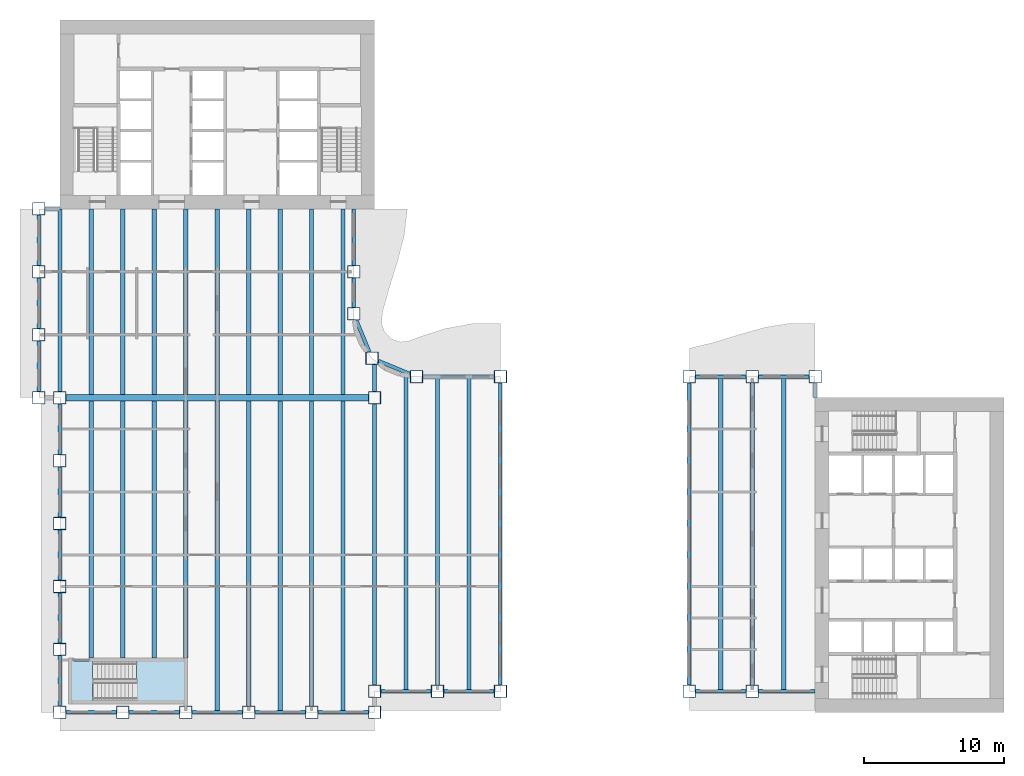
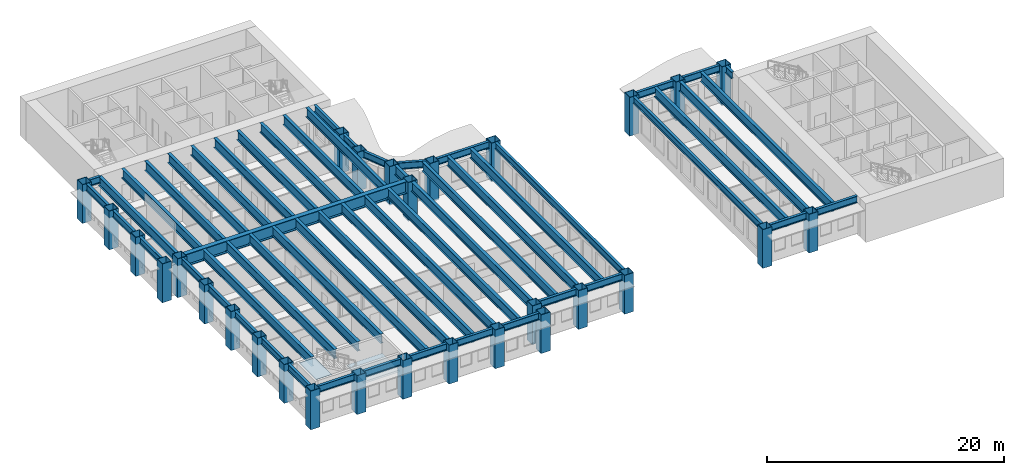
# One storey, part 1 of 13: 56 beams, 29 columns, 2 slabs, 1 element without a shape of its own.
"""IFC4 building model written with IfcOpenShell, lengths in metres."""

from ifc_helpers import new_model, si_unit, direction, frame, origin, origin_2d, place, context, subcontext, project, spatial, polyline, hollow_rectangle, i_section, outline, extrude, material, layer, layer_set, material_profile, profile_set, type_object, element, aggregate, save


model = new_model("IFC4")

# Units and contexts
model_context = context("Model", 3, precision=1e-05, world=origin(), true_north=direction((0.0, 1.0)))
body_context = subcontext(model_context, "Body", "Model", "MODEL_VIEW")
ifc_project = project(units=[si_unit("LENGTHUNIT", "METRE"), si_unit("AREAUNIT", "SQUARE_METRE"), si_unit("VOLUMEUNIT", "CUBIC_METRE"), si_unit("PLANEANGLEUNIT", "RADIAN"), si_unit("MASSUNIT", "GRAM", prefix="KILO")], contexts=[model_context])

# Site, building, storey
site_placement = place(None, origin())
site = spatial("IfcSite", under=ifc_project, at=site_placement, CompositionType="ELEMENT")
building_placement = place(site_placement, origin())
building = spatial("IfcBuilding", under=site, at=building_placement, Name="Sennacour Bend Tower", CompositionType="ELEMENT")
storey_placement = place(building_placement, frame((0.0, 0.0, 139.0)))
storey = spatial("IfcBuildingStorey", under=building, at=storey_placement, Name="L31", CompositionType="ELEMENT", Elevation=139.0)

# Columns
ifc_material_1 = material(Name="Steel ASTM A572 Grade 50", Category="steel")
ifc_material_profile_1 = material_profile(ifc_material_1, hollow_rectangle(XDim=0.89990234375, YDim=0.89990234375, WallThickness=0.044921875, at=origin_2d()), Name="Steel ASTM A572 Grade 50", Category="steel")
ifc_profile_set_1 = profile_set([ifc_material_profile_1], Name="Steel ASTM A572 Grade 50")
column_type = type_object("IfcColumnType", Name="Box column 900", PredefinedType="COLUMN", material=ifc_profile_set_1)
for number, where, z_axis, x_axis, name in (
    (1, (-1.5, 22.5, -0.14990234375), (0.0, 0.0, 1.0), (1.0, 0.0, 0.0), "Perimeter column C3 L31-001"),
    (2, (-1.5, 27.0, -0.14990234375), (0.0, 0.0, 1.0), (1.0, 0.0, 0.0), "Perimeter column C3 L31-002"),
    (3, (-1.5, 31.5, -0.14990234375), (0.0, 0.0, 1.0), (1.0, 0.0, 0.0), "Perimeter column C3 L31-003"),
    (4, (-1.5, 36.0, -0.14990234375), (0.0, 0.0, 1.0), (1.0, 0.0, 0.0), "Perimeter column C3 L31-004"),
    (5, (0.0, 0.0, -0.14990234375), (0.0, 0.0, 1.0), (1.0, 0.0, 0.0), "Perimeter column C3 L31-005"),
    (6, (0.0, 4.5, -0.14990234375), (0.0, 0.0, 1.0), (1.0, 0.0, 0.0), "Perimeter column C3 L31-006"),
    (7, (0.0, 9.0, -0.14990234375), (0.0, 0.0, 1.0), (1.0, 0.0, 0.0), "Perimeter column C3 L31-007"),
    (8, (0.0, 13.5, -0.14990234375), (0.0, 0.0, 1.0), (1.0, 0.0, 0.0), "Perimeter column C3 L31-008"),
    (9, (0.0, 18.0, -0.14990234375), (0.0, 0.0, 1.0), (1.0, 0.0, 0.0), "Perimeter column C3 L31-009"),
    (10, (0.0, 22.5, -0.14990234375), (0.0, 0.0, 1.0), (1.0, 0.0, 0.0), "Perimeter column C3 L31-010"),
    (11, (4.5, 0.0, -0.14990234375), (0.0, 0.0, 1.0), (1.0, 0.0, 0.0), "Perimeter column C3 L31-011"),
    (12, (9.0, 0.0, -0.14990234375), (0.0, 0.0, 1.0), (1.0, 0.0, 0.0), "Perimeter column C3 L31-012"),
    (13, (13.5, 0.0, -0.14990234375), (0.0, 0.0, 1.0), (1.0, 0.0, 0.0), "Perimeter column C3 L31-013"),
    (14, (18.0, 0.0, -0.14990234375), (0.0, 0.0, 1.0), (1.0, 0.0, 0.0), "Perimeter column C3 L31-014"),
    (15, (21.0, 28.5, -0.14990234375), (0.0, 0.0, 1.0), (1.0, 0.0, 0.0), "Perimeter column C3 L31-015"),
    (16, (21.0, 31.5, -0.14990234375), (0.0, 0.0, 1.0), (1.0, 0.0, 0.0), "Perimeter column C3 L31-016"),
    (17, (22.318115234375, 25.318115234375, -0.14990234375), (0.0, 0.0, 1.0), (1.0, 0.0, 0.0), "Perimeter column C3 L31-017"),
    (18, (22.5, 0.0, -0.14990234375), (0.0, 0.0, 1.0), (1.0, 0.0, 0.0), "Perimeter column C3 L31-018"),
    (19, (22.5, 1.5, -0.14990234375), (0.0, 0.0, 1.0), (1.0, 0.0, 0.0), "Perimeter column C3 L31-019"),
    (20, (22.5, 22.5, -0.14990234375), (0.0, 0.0, 1.0), (1.0, 0.0, 0.0), "Knuckle column C3 L31-020"),
    (21, (25.5, 24.0, -0.14990234375), (0.0, 0.0, 1.0), (1.0, 0.0, 0.0), "Perimeter column C3 L31-021"),
    (22, (27.0, 1.5, -0.14990234375), (0.0, 0.0, 1.0), (1.0, 0.0, 0.0), "Perimeter column C3 L31-022"),
    (23, (31.5, 1.5, -0.14990234375), (0.0, 0.0, 1.0), (1.0, 0.0, 0.0), "Perimeter column C3 L31-023"),
    (24, (31.5, 24.0, -0.14990234375), (0.0, 0.0, 1.0), (1.0, 0.0, 0.0), "Perimeter column C3 L31-024"),
    (25, (45.0, 1.5, -0.14990234375), (0.0, 0.0, 1.0), (1.0, 0.0, 0.0), "Perimeter column C3 L31-025"),
    (26, (45.0, 24.0, -0.14990234375), (0.0, 0.0, 1.0), (1.0, 0.0, 0.0), "Perimeter column C3 L31-026"),
    (27, (49.5, 1.5, -0.14990234375), (0.0, 0.0, 1.0), (1.0, 0.0, 0.0), "Perimeter column C3 L31-027"),
    (28, (49.5, 24.0, -0.14990234375), (0.0, 0.0, 1.0), (1.0, 0.0, 0.0), "Perimeter column C3 L31-028"),
    (29, (54.0, 24.0, -0.14990234375), (0.0, 0.0, 1.0), (1.0, 0.0, 0.0), "Perimeter column C3 L31-029"),
):
    element("IfcColumn", number, at=place(storey_placement, frame(where, z_axis=z_axis, x_axis=x_axis)), inside=storey, type_object=column_type, Name=name, PredefinedType="COLUMN", context=body_context, shape_type="SweptSolid", body=[
        extrude(hollow_rectangle(XDim=0.89990234375, YDim=0.89990234375, WallThickness=0.044921875, at=origin_2d()), origin(), (0.0, 0.0, 1.0), 4.0),
    ])

# Beams
ifc_material_2 = material(Name="Steel ASTM A992 Grade 50", Category="steel")
ifc_material_profile_2 = material_profile(ifc_material_2, i_section(OverallWidth=0.300048828125, OverallDepth=0.97998046875, WebThickness=0.0166015625, FlangeThickness=0.026123046875, FilletRadius=0.02978515625, at=origin_2d()), Name="Steel ASTM A992 Grade 50", Category="steel")
ifc_profile_set_2 = profile_set([ifc_material_profile_2], Name="Steel ASTM A992 Grade 50")
beam_type_1 = type_object("IfcBeamType", Name="Floor beam W1000X249", PredefinedType="BEAM", material=ifc_profile_set_2)
beam_1_placement = place(storey_placement, frame((0.0, 22.949951171875, 3.360107421875), z_axis=(0.0, 1.0, 0.0), x_axis=(-1.0, 0.0, 0.0)))
element("IfcBeam", 30, at=beam_1_placement, inside=storey, type_object=beam_type_1, Name="Floor beam FBM2 L32-001", PredefinedType="BEAM", context=body_context, shape_type="SweptSolid", body=[
    extrude(i_section(OverallWidth=0.300048828125, OverallDepth=0.97998046875, WebThickness=0.0166015625, FlangeThickness=0.026123046875, FilletRadius=0.02978515625, at=origin_2d()), origin(), (0.0, 0.0, 1.0), 13.050048828125),
])
beam_2_placement = place(storey_placement, frame((2.25, 3.875, 3.360107421875), z_axis=(0.0, 1.0, 0.0), x_axis=(-1.0, 0.0, 0.0)))
element("IfcBeam", 31, at=beam_2_placement, inside=storey, type_object=beam_type_1, Name="Floor beam FBM2 L32-002", PredefinedType="BEAM", context=body_context, shape_type="SweptSolid", body=[
    extrude(i_section(OverallWidth=0.300048828125, OverallDepth=0.97998046875, WebThickness=0.0166015625, FlangeThickness=0.026123046875, FilletRadius=0.02978515625, at=origin_2d()), origin(), (0.0, 0.0, 1.0), 18.39990234375),
])
beam_3_placement = place(storey_placement, frame((2.25, 22.72509765625, 3.360107421875), z_axis=(0.0, 1.0, 0.0), x_axis=(-1.0, 0.0, 0.0)))
element("IfcBeam", 32, at=beam_3_placement, inside=storey, type_object=beam_type_1, Name="Floor beam FBM2 L32-003", PredefinedType="BEAM", context=body_context, shape_type="SweptSolid", body=[
    extrude(i_section(OverallWidth=0.300048828125, OverallDepth=0.97998046875, WebThickness=0.0166015625, FlangeThickness=0.026123046875, FilletRadius=0.02978515625, at=origin_2d()), origin(), (0.0, 0.0, 1.0), 13.27490234375),
])
beam_4_placement = place(storey_placement, frame((4.5, 3.875, 3.360107421875), z_axis=(0.0, 1.0, 0.0), x_axis=(-1.0, 0.0, 0.0)))
element("IfcBeam", 33, at=beam_4_placement, inside=storey, type_object=beam_type_1, Name="Floor beam FBM2 L32-004", PredefinedType="BEAM", context=body_context, shape_type="SweptSolid", body=[
    extrude(i_section(OverallWidth=0.300048828125, OverallDepth=0.97998046875, WebThickness=0.0166015625, FlangeThickness=0.026123046875, FilletRadius=0.02978515625, at=origin_2d()), origin(), (0.0, 0.0, 1.0), 18.39990234375),
])
beam_5_placement = place(storey_placement, frame((4.5, 22.72509765625, 3.360107421875), z_axis=(0.0, 1.0, 0.0), x_axis=(-1.0, 0.0, 0.0)))
element("IfcBeam", 34, at=beam_5_placement, inside=storey, type_object=beam_type_1, Name="Floor beam FBM2 L32-005", PredefinedType="BEAM", context=body_context, shape_type="SweptSolid", body=[
    extrude(i_section(OverallWidth=0.300048828125, OverallDepth=0.97998046875, WebThickness=0.0166015625, FlangeThickness=0.026123046875, FilletRadius=0.02978515625, at=origin_2d()), origin(), (0.0, 0.0, 1.0), 13.27490234375),
])
beam_6_placement = place(storey_placement, frame((6.75, 3.875, 3.360107421875), z_axis=(0.0, 1.0, 0.0), x_axis=(-1.0, 0.0, 0.0)))
element("IfcBeam", 35, at=beam_6_placement, inside=storey, type_object=beam_type_1, Name="Floor beam FBM2 L32-006", PredefinedType="BEAM", context=body_context, shape_type="SweptSolid", body=[
    extrude(i_section(OverallWidth=0.300048828125, OverallDepth=0.97998046875, WebThickness=0.0166015625, FlangeThickness=0.026123046875, FilletRadius=0.02978515625, at=origin_2d()), origin(), (0.0, 0.0, 1.0), 18.39990234375),
])
beam_7_placement = place(storey_placement, frame((6.75, 22.72509765625, 3.360107421875), z_axis=(0.0, 1.0, 0.0), x_axis=(-1.0, 0.0, 0.0)))
element("IfcBeam", 36, at=beam_7_placement, inside=storey, type_object=beam_type_1, Name="Floor beam FBM2 L32-007", PredefinedType="BEAM", context=body_context, shape_type="SweptSolid", body=[
    extrude(i_section(OverallWidth=0.300048828125, OverallDepth=0.97998046875, WebThickness=0.0166015625, FlangeThickness=0.026123046875, FilletRadius=0.02978515625, at=origin_2d()), origin(), (0.0, 0.0, 1.0), 13.27490234375),
])
beam_8_placement = place(storey_placement, frame((9.0, 3.875, 3.360107421875), z_axis=(0.0, 1.0, 0.0), x_axis=(-1.0, 0.0, 0.0)))
element("IfcBeam", 37, at=beam_8_placement, inside=storey, type_object=beam_type_1, Name="Floor beam FBM2 L32-008", PredefinedType="BEAM", context=body_context, shape_type="SweptSolid", body=[
    extrude(i_section(OverallWidth=0.300048828125, OverallDepth=0.97998046875, WebThickness=0.0166015625, FlangeThickness=0.026123046875, FilletRadius=0.02978515625, at=origin_2d()), origin(), (0.0, 0.0, 1.0), 18.39990234375),
])
beam_9_placement = place(storey_placement, frame((9.0, 22.72509765625, 3.360107421875), z_axis=(0.0, 1.0, 0.0), x_axis=(-1.0, 0.0, 0.0)))
element("IfcBeam", 38, at=beam_9_placement, inside=storey, type_object=beam_type_1, Name="Floor beam FBM2 L32-009", PredefinedType="BEAM", context=body_context, shape_type="SweptSolid", body=[
    extrude(i_section(OverallWidth=0.300048828125, OverallDepth=0.97998046875, WebThickness=0.0166015625, FlangeThickness=0.026123046875, FilletRadius=0.02978515625, at=origin_2d()), origin(), (0.0, 0.0, 1.0), 13.27490234375),
])
beam_10_placement = place(storey_placement, frame((11.25, 0.126953125, 3.360107421875), z_axis=(0.0, 1.0, 0.0), x_axis=(-1.0, 0.0, 0.0)))
element("IfcBeam", 39, at=beam_10_placement, inside=storey, type_object=beam_type_1, Name="Floor beam FBM2 L32-010", PredefinedType="BEAM", context=body_context, shape_type="SweptSolid", body=[
    extrude(i_section(OverallWidth=0.300048828125, OverallDepth=0.97998046875, WebThickness=0.0166015625, FlangeThickness=0.026123046875, FilletRadius=0.02978515625, at=origin_2d()), origin(), (0.0, 0.0, 1.0), 22.14794921875),
])
beam_11_placement = place(storey_placement, frame((11.25, 22.72509765625, 3.360107421875), z_axis=(0.0, 1.0, 0.0), x_axis=(-1.0, 0.0, 0.0)))
element("IfcBeam", 40, at=beam_11_placement, inside=storey, type_object=beam_type_1, Name="Floor beam FBM2 L32-011", PredefinedType="BEAM", context=body_context, shape_type="SweptSolid", body=[
    extrude(i_section(OverallWidth=0.300048828125, OverallDepth=0.97998046875, WebThickness=0.0166015625, FlangeThickness=0.026123046875, FilletRadius=0.02978515625, at=origin_2d()), origin(), (0.0, 0.0, 1.0), 13.27490234375),
])
beam_12_placement = place(storey_placement, frame((13.5, 0.449951171875, 3.360107421875), z_axis=(0.0, 1.0, 0.0), x_axis=(-1.0, 0.0, 0.0)))
element("IfcBeam", 41, at=beam_12_placement, inside=storey, type_object=beam_type_1, Name="Floor beam FBM2 L32-012", PredefinedType="BEAM", context=body_context, shape_type="SweptSolid", body=[
    extrude(i_section(OverallWidth=0.300048828125, OverallDepth=0.97998046875, WebThickness=0.0166015625, FlangeThickness=0.026123046875, FilletRadius=0.02978515625, at=origin_2d()), origin(), (0.0, 0.0, 1.0), 21.824951171875),
])
beam_13_placement = place(storey_placement, frame((13.5, 22.72509765625, 3.360107421875), z_axis=(0.0, 1.0, 0.0), x_axis=(-1.0, 0.0, 0.0)))
element("IfcBeam", 42, at=beam_13_placement, inside=storey, type_object=beam_type_1, Name="Floor beam FBM2 L32-013", PredefinedType="BEAM", context=body_context, shape_type="SweptSolid", body=[
    extrude(i_section(OverallWidth=0.300048828125, OverallDepth=0.97998046875, WebThickness=0.0166015625, FlangeThickness=0.026123046875, FilletRadius=0.02978515625, at=origin_2d()), origin(), (0.0, 0.0, 1.0), 13.27490234375),
])
beam_14_placement = place(storey_placement, frame((15.75, 0.126953125, 3.360107421875), z_axis=(0.0, 1.0, 0.0), x_axis=(-1.0, 0.0, 0.0)))
element("IfcBeam", 43, at=beam_14_placement, inside=storey, type_object=beam_type_1, Name="Floor beam FBM2 L32-014", PredefinedType="BEAM", context=body_context, shape_type="SweptSolid", body=[
    extrude(i_section(OverallWidth=0.300048828125, OverallDepth=0.97998046875, WebThickness=0.0166015625, FlangeThickness=0.026123046875, FilletRadius=0.02978515625, at=origin_2d()), origin(), (0.0, 0.0, 1.0), 22.14794921875),
])
beam_15_placement = place(storey_placement, frame((15.75, 22.72509765625, 3.360107421875), z_axis=(0.0, 1.0, 0.0), x_axis=(-1.0, 0.0, 0.0)))
element("IfcBeam", 44, at=beam_15_placement, inside=storey, type_object=beam_type_1, Name="Floor beam FBM2 L32-015", PredefinedType="BEAM", context=body_context, shape_type="SweptSolid", body=[
    extrude(i_section(OverallWidth=0.300048828125, OverallDepth=0.97998046875, WebThickness=0.0166015625, FlangeThickness=0.026123046875, FilletRadius=0.02978515625, at=origin_2d()), origin(), (0.0, 0.0, 1.0), 13.27490234375),
])
beam_16_placement = place(storey_placement, frame((18.0, 0.449951171875, 3.360107421875), z_axis=(0.0, 1.0, 0.0), x_axis=(-1.0, 0.0, 0.0)))
element("IfcBeam", 45, at=beam_16_placement, inside=storey, type_object=beam_type_1, Name="Floor beam FBM2 L32-016", PredefinedType="BEAM", context=body_context, shape_type="SweptSolid", body=[
    extrude(i_section(OverallWidth=0.300048828125, OverallDepth=0.97998046875, WebThickness=0.0166015625, FlangeThickness=0.026123046875, FilletRadius=0.02978515625, at=origin_2d()), origin(), (0.0, 0.0, 1.0), 21.824951171875),
])
beam_17_placement = place(storey_placement, frame((18.0, 22.72509765625, 3.360107421875), z_axis=(0.0, 1.0, 0.0), x_axis=(-1.0, 0.0, 0.0)))
element("IfcBeam", 46, at=beam_17_placement, inside=storey, type_object=beam_type_1, Name="Floor beam FBM2 L32-017", PredefinedType="BEAM", context=body_context, shape_type="SweptSolid", body=[
    extrude(i_section(OverallWidth=0.300048828125, OverallDepth=0.97998046875, WebThickness=0.0166015625, FlangeThickness=0.026123046875, FilletRadius=0.02978515625, at=origin_2d()), origin(), (0.0, 0.0, 1.0), 13.27490234375),
])
beam_18_placement = place(storey_placement, frame((20.25, 0.126953125, 3.360107421875), z_axis=(0.0, 1.0, 0.0), x_axis=(-1.0, 0.0, 0.0)))
element("IfcBeam", 47, at=beam_18_placement, inside=storey, type_object=beam_type_1, Name="Floor beam FBM2 L32-018", PredefinedType="BEAM", context=body_context, shape_type="SweptSolid", body=[
    extrude(i_section(OverallWidth=0.300048828125, OverallDepth=0.97998046875, WebThickness=0.0166015625, FlangeThickness=0.026123046875, FilletRadius=0.02978515625, at=origin_2d()), origin(), (0.0, 0.0, 1.0), 22.14794921875),
])
beam_19_placement = place(storey_placement, frame((20.25, 22.72509765625, 3.360107421875), z_axis=(0.0, 1.0, 0.0), x_axis=(-1.0, 0.0, 0.0)))
element("IfcBeam", 48, at=beam_19_placement, inside=storey, type_object=beam_type_1, Name="Floor beam FBM2 L32-019", PredefinedType="BEAM", context=body_context, shape_type="SweptSolid", body=[
    extrude(i_section(OverallWidth=0.300048828125, OverallDepth=0.97998046875, WebThickness=0.0166015625, FlangeThickness=0.026123046875, FilletRadius=0.02978515625, at=origin_2d()), origin(), (0.0, 0.0, 1.0), 13.27490234375),
])
beam_20_placement = place(storey_placement, frame((22.5, 1.949951171875, 3.360107421875), z_axis=(0.0, 1.0, 0.0), x_axis=(-1.0, 0.0, 0.0)))
element("IfcBeam", 49, at=beam_20_placement, inside=storey, type_object=beam_type_1, Name="Floor beam FBM2 L32-020", PredefinedType="BEAM", context=body_context, shape_type="SweptSolid", body=[
    extrude(i_section(OverallWidth=0.300048828125, OverallDepth=0.97998046875, WebThickness=0.0166015625, FlangeThickness=0.026123046875, FilletRadius=0.02978515625, at=origin_2d()), origin(), (0.0, 0.0, 1.0), 20.10009765625),
])
beam_21_placement = place(storey_placement, frame((22.5, 22.949951171875, 3.360107421875), z_axis=(0.0, 1.0, 0.0), x_axis=(-1.0, 0.0, 0.0)))
element("IfcBeam", 50, at=beam_21_placement, inside=storey, type_object=beam_type_1, Name="Floor beam FBM2 L32-021", PredefinedType="BEAM", context=body_context, shape_type="SweptSolid", body=[
    extrude(i_section(OverallWidth=0.300048828125, OverallDepth=0.97998046875, WebThickness=0.0166015625, FlangeThickness=0.026123046875, FilletRadius=0.02978515625, at=origin_2d()), origin(), (0.0, 0.0, 1.0), 1.91796875),
])
beam_22_placement = place(storey_placement, frame((24.75, 1.626953125, 3.360107421875), z_axis=(0.0, 1.0, 0.0), x_axis=(-1.0, 0.0, 0.0)))
element("IfcBeam", 51, at=beam_22_placement, inside=storey, type_object=beam_type_1, Name="Floor beam FBM2 L32-022", PredefinedType="BEAM", context=body_context, shape_type="SweptSolid", body=[
    extrude(i_section(OverallWidth=0.300048828125, OverallDepth=0.97998046875, WebThickness=0.0166015625, FlangeThickness=0.026123046875, FilletRadius=0.02978515625, at=origin_2d()), origin(), (0.0, 0.0, 1.0), 22.546142578125),
])
beam_23_placement = place(storey_placement, frame((27.0, 1.949951171875, 3.360107421875), z_axis=(0.0, 1.0, 0.0), x_axis=(-1.0, 0.0, 0.0)))
element("IfcBeam", 52, at=beam_23_placement, inside=storey, type_object=beam_type_1, Name="Floor beam FBM2 L32-023", PredefinedType="BEAM", context=body_context, shape_type="SweptSolid", body=[
    extrude(i_section(OverallWidth=0.300048828125, OverallDepth=0.97998046875, WebThickness=0.0166015625, FlangeThickness=0.026123046875, FilletRadius=0.02978515625, at=origin_2d()), origin(), (0.0, 0.0, 1.0), 21.923095703125),
])
for number, where, z_axis, x_axis, name in (
    (53, (29.25, 1.626953125, 3.360107421875), (0.0, 1.0, 0.0), (-1.0, 0.0, 0.0), "Floor beam FBM2 L32-024"),
    (54, (47.25, 1.626953125, 3.360107421875), (0.0, 1.0, 0.0), (-1.0, 0.0, 0.0), "Floor beam FBM2 L32-025"),
):
    element("IfcBeam", number, at=place(storey_placement, frame(where, z_axis=z_axis, x_axis=x_axis)), inside=storey, type_object=beam_type_1, Name=name, PredefinedType="BEAM", context=body_context, shape_type="SweptSolid", body=[
        extrude(i_section(OverallWidth=0.300048828125, OverallDepth=0.97998046875, WebThickness=0.0166015625, FlangeThickness=0.026123046875, FilletRadius=0.02978515625, at=origin_2d()), origin(), (0.0, 0.0, 1.0), 22.24609375),
    ])
beam_24_placement = place(storey_placement, frame((49.5, 1.949951171875, 3.360107421875), z_axis=(0.0, 1.0, 0.0), x_axis=(-1.0, 0.0, 0.0)))
element("IfcBeam", 55, at=beam_24_placement, inside=storey, type_object=beam_type_1, Name="Floor beam FBM2 L32-026", PredefinedType="BEAM", context=body_context, shape_type="SweptSolid", body=[
    extrude(i_section(OverallWidth=0.300048828125, OverallDepth=0.97998046875, WebThickness=0.0166015625, FlangeThickness=0.026123046875, FilletRadius=0.02978515625, at=origin_2d()), origin(), (0.0, 0.0, 1.0), 21.60009765625),
])
beam_25_placement = place(storey_placement, frame((51.75, 1.626953125, 3.360107421875), z_axis=(0.0, 1.0, 0.0), x_axis=(-1.0, 0.0, 0.0)))
element("IfcBeam", 56, at=beam_25_placement, inside=storey, type_object=beam_type_1, Name="Floor beam FBM2 L32-027", PredefinedType="BEAM", context=body_context, shape_type="SweptSolid", body=[
    extrude(i_section(OverallWidth=0.300048828125, OverallDepth=0.97998046875, WebThickness=0.0166015625, FlangeThickness=0.026123046875, FilletRadius=0.02978515625, at=origin_2d()), origin(), (0.0, 0.0, 1.0), 22.24609375),
])
ifc_material_profile_3 = material_profile(ifc_material_1, i_section(OverallWidth=0.449951171875, OverallDepth=1.25, WebThickness=0.028076171875, FlangeThickness=0.050048828125, at=origin_2d()), Name="Steel ASTM A572 Grade 50", Category="steel")
ifc_profile_set_3 = profile_set([ifc_material_profile_3], Name="Steel ASTM A572 Grade 50")
beam_type_2 = type_object("IfcBeamType", Name="Knuckle girder 1250", PredefinedType="USERDEFINED", material=ifc_profile_set_3)
beam_26_placement = place(storey_placement, frame((0.449951171875, 22.5, 3.22509765625), z_axis=(1.0, 0.0, 0.0), x_axis=(0.0, 1.0, 0.0)))
element("IfcBeam", 57, at=beam_26_placement, inside=storey, type_object=beam_type_2, Name="Knuckle girder GK L32-001", ObjectType="KNUCKLE GIRDER", PredefinedType="USERDEFINED", context=body_context, shape_type="SweptSolid", body=[
    extrude(i_section(OverallWidth=0.449951171875, OverallDepth=1.25, WebThickness=0.028076171875, FlangeThickness=0.050048828125, at=origin_2d()), origin(), (0.0, 0.0, 1.0), 21.60009765625),
])
ifc_material_profile_4 = material_profile(ifc_material_2, i_section(OverallWidth=0.25390625, OverallDepth=0.700927734375, WebThickness=0.015380859375, FlangeThickness=0.02783203125, FilletRadius=0.015380859375, at=origin_2d()), Name="Steel ASTM A992 Grade 50", Category="steel")
ifc_profile_set_4 = profile_set([ifc_material_profile_4], Name="Steel ASTM A992 Grade 50")
beam_type_3 = type_object("IfcBeamType", Name="Spandrel beam W690X192", PredefinedType="SPANDREL", material=ifc_profile_set_4)
beam_27_placement = place(storey_placement, frame((45.0, 1.949951171875, 3.49951171875), z_axis=(0.0, 1.0, 0.0), x_axis=(-1.0, 0.0, 0.0)))
element("IfcBeam", 58, at=beam_27_placement, inside=storey, type_object=beam_type_3, Name="Spandrel beam SP4 L32-001", PredefinedType="SPANDREL", context=body_context, shape_type="SweptSolid", body=[
    extrude(i_section(OverallWidth=0.25390625, OverallDepth=0.700927734375, WebThickness=0.015380859375, FlangeThickness=0.02783203125, FilletRadius=0.015380859375, at=origin_2d()), origin(), (0.0, 0.0, 1.0), 21.60009765625),
])
for number, where, z_axis, x_axis, name in (
    (59, (45.449951171875, 24.0, 3.49951171875), (1.0, 0.0, 0.0), (0.0, 1.0, 0.0), "Spandrel beam SP4 L32-002"),
    (60, (49.949951171875, 24.0, 3.49951171875), (1.0, 0.0, 0.0), (0.0, 1.0, 0.0), "Spandrel beam SP4 L32-003"),
):
    element("IfcBeam", number, at=place(storey_placement, frame(where, z_axis=z_axis, x_axis=x_axis)), inside=storey, type_object=beam_type_3, Name=name, PredefinedType="SPANDREL", context=body_context, shape_type="SweptSolid", body=[
        extrude(i_section(OverallWidth=0.25390625, OverallDepth=0.700927734375, WebThickness=0.015380859375, FlangeThickness=0.02783203125, FilletRadius=0.015380859375, at=origin_2d()), origin(), (0.0, 0.0, 1.0), 3.60009765625),
    ])
beam_28_placement = place(storey_placement, frame((54.0, 23.550048828125, 3.49951171875), z_axis=(0.0, -1.0, 0.0), x_axis=(1.0, 0.0, 0.0)))
element("IfcBeam", 61, at=beam_28_placement, inside=storey, type_object=beam_type_3, Name="Spandrel beam SP4 L32-004", PredefinedType="SPANDREL", context=body_context, shape_type="SweptSolid", body=[
    extrude(i_section(OverallWidth=0.25390625, OverallDepth=0.700927734375, WebThickness=0.015380859375, FlangeThickness=0.02783203125, FilletRadius=0.015380859375, at=origin_2d()), origin(), (0.0, 0.0, 1.0), 1.050048828125),
])
beam_29_placement = place(storey_placement, frame((54.0, 1.5, 3.49951171875), z_axis=(-1.0, 0.0, 0.0), x_axis=(0.0, -1.0, 0.0)))
element("IfcBeam", 62, at=beam_29_placement, inside=storey, type_object=beam_type_3, Name="Spandrel beam SP4 L32-005", PredefinedType="SPANDREL", context=body_context, shape_type="SweptSolid", body=[
    extrude(i_section(OverallWidth=0.25390625, OverallDepth=0.700927734375, WebThickness=0.015380859375, FlangeThickness=0.02783203125, FilletRadius=0.015380859375, at=origin_2d()), origin(), (0.0, 0.0, 1.0), 4.050048828125),
])
beam_30_placement = place(storey_placement, frame((49.050048828125, 1.5, 3.49951171875), z_axis=(-1.0, 0.0, 0.0), x_axis=(0.0, -1.0, 0.0)))
element("IfcBeam", 63, at=beam_30_placement, inside=storey, type_object=beam_type_3, Name="Spandrel beam SP4 L32-006", PredefinedType="SPANDREL", context=body_context, shape_type="SweptSolid", body=[
    extrude(i_section(OverallWidth=0.25390625, OverallDepth=0.700927734375, WebThickness=0.015380859375, FlangeThickness=0.02783203125, FilletRadius=0.015380859375, at=origin_2d()), origin(), (0.0, 0.0, 1.0), 3.60009765625),
])
beam_31_placement = place(storey_placement, frame((31.5, 23.550048828125, 3.49951171875), z_axis=(0.0, -1.0, 0.0), x_axis=(1.0, 0.0, 0.0)))
element("IfcBeam", 64, at=beam_31_placement, inside=storey, type_object=beam_type_3, Name="Spandrel beam SP4 L32-007", PredefinedType="SPANDREL", context=body_context, shape_type="SweptSolid", body=[
    extrude(i_section(OverallWidth=0.25390625, OverallDepth=0.700927734375, WebThickness=0.015380859375, FlangeThickness=0.02783203125, FilletRadius=0.015380859375, at=origin_2d()), origin(), (0.0, 0.0, 1.0), 21.60009765625),
])
for number, where, z_axis, x_axis, name in (
    (65, (31.050048828125, 1.5, 3.49951171875), (-1.0, 0.0, 0.0), (0.0, -1.0, 0.0), "Spandrel beam SP4 L32-008"),
    (66, (26.550048828125, 1.5, 3.49951171875), (-1.0, 0.0, 0.0), (0.0, -1.0, 0.0), "Spandrel beam SP4 L32-009"),
    (67, (22.050048828125, 0.0, 3.49951171875), (-1.0, 0.0, 0.0), (0.0, -1.0, 0.0), "Spandrel beam SP4 L32-010"),
    (68, (17.550048828125, 0.0, 3.49951171875), (-1.0, 0.0, 0.0), (0.0, -1.0, 0.0), "Spandrel beam SP4 L32-011"),
    (69, (13.050048828125, 0.0, 3.49951171875), (-1.0, 0.0, 0.0), (0.0, -1.0, 0.0), "Spandrel beam SP4 L32-012"),
    (70, (8.550048828125, 0.0, 3.49951171875), (-1.0, 0.0, 0.0), (0.0, -1.0, 0.0), "Spandrel beam SP4 L32-013"),
    (71, (4.050048828125, 0.0, 3.49951171875), (-1.0, 0.0, 0.0), (0.0, -1.0, 0.0), "Spandrel beam SP4 L32-014"),
    (72, (0.0, 0.449951171875, 3.49951171875), (0.0, 1.0, 0.0), (-1.0, 0.0, 0.0), "Spandrel beam SP4 L32-015"),
    (73, (0.0, 4.949951171875, 3.49951171875), (0.0, 1.0, 0.0), (-1.0, 0.0, 0.0), "Spandrel beam SP4 L32-016"),
    (74, (0.0, 9.449951171875, 3.49951171875), (0.0, 1.0, 0.0), (-1.0, 0.0, 0.0), "Spandrel beam SP4 L32-017"),
    (75, (0.0, 13.949951171875, 3.49951171875), (0.0, 1.0, 0.0), (-1.0, 0.0, 0.0), "Spandrel beam SP4 L32-018"),
    (76, (0.0, 18.449951171875, 3.49951171875), (0.0, 1.0, 0.0), (-1.0, 0.0, 0.0), "Spandrel beam SP4 L32-019"),
    (77, (-1.5, 22.949951171875, 3.49951171875), (0.0, 1.0, 0.0), (-1.0, 0.0, 0.0), "Spandrel beam SP4 L32-020"),
    (78, (-1.5, 27.449951171875, 3.49951171875), (0.0, 1.0, 0.0), (-1.0, 0.0, 0.0), "Spandrel beam SP4 L32-021"),
    (79, (-1.5, 31.949951171875, 3.49951171875), (0.0, 1.0, 0.0), (-1.0, 0.0, 0.0), "Spandrel beam SP4 L32-022"),
):
    element("IfcBeam", number, at=place(storey_placement, frame(where, z_axis=z_axis, x_axis=x_axis)), inside=storey, type_object=beam_type_3, Name=name, PredefinedType="SPANDREL", context=body_context, shape_type="SweptSolid", body=[
        extrude(i_section(OverallWidth=0.25390625, OverallDepth=0.700927734375, WebThickness=0.015380859375, FlangeThickness=0.02783203125, FilletRadius=0.015380859375, at=origin_2d()), origin(), (0.0, 0.0, 1.0), 3.60009765625),
    ])
beam_32_placement = place(storey_placement, frame((-1.050048828125, 36.0, 3.49951171875), z_axis=(1.0, 0.0, 0.0), x_axis=(0.0, 1.0, 0.0)))
element("IfcBeam", 80, at=beam_32_placement, inside=storey, type_object=beam_type_3, Name="Spandrel beam SP4 L32-023", PredefinedType="SPANDREL", context=body_context, shape_type="SweptSolid", body=[
    extrude(i_section(OverallWidth=0.25390625, OverallDepth=0.700927734375, WebThickness=0.015380859375, FlangeThickness=0.02783203125, FilletRadius=0.015380859375, at=origin_2d()), origin(), (0.0, 0.0, 1.0), 1.050048828125),
])
beam_33_placement = place(storey_placement, frame((21.0, 36.0, 3.49951171875), z_axis=(0.0, -1.0, 0.0), x_axis=(1.0, 0.0, 0.0)))
element("IfcBeam", 81, at=beam_33_placement, inside=storey, type_object=beam_type_3, Name="Spandrel beam SP4 L32-024", PredefinedType="SPANDREL", context=body_context, shape_type="SweptSolid", body=[
    extrude(i_section(OverallWidth=0.25390625, OverallDepth=0.700927734375, WebThickness=0.015380859375, FlangeThickness=0.02783203125, FilletRadius=0.015380859375, at=origin_2d()), origin(), (0.0, 0.0, 1.0), 4.050048828125),
])
beam_34_placement = place(storey_placement, frame((21.0, 31.050048828125, 3.49951171875), z_axis=(0.0, -1.0, 0.0), x_axis=(1.0, 0.0, 0.0)))
element("IfcBeam", 82, at=beam_34_placement, inside=storey, type_object=beam_type_3, Name="Spandrel beam SP4 L32-025", PredefinedType="SPANDREL", context=body_context, shape_type="SweptSolid", body=[
    extrude(i_section(OverallWidth=0.25390625, OverallDepth=0.700927734375, WebThickness=0.015380859375, FlangeThickness=0.02783203125, FilletRadius=0.015380859375, at=origin_2d()), origin(), (0.0, 0.0, 1.0), 2.10009765625),
])
for number, where, z_axis, x_axis, name in (
    (83, (21.186279296875, 28.050048828125, 3.49951171875), (0.382712608723, -0.923867446728, 0.0), (0.923867446728, 0.382712608723, 0.0), "Spandrel beam SP4 L32-026"),
    (84, (22.76806640625, 25.131591796875, 3.49951171875), (0.923867446728, -0.382712608723, 0.0), (0.382712608723, 0.923867446728, 0.0), "Spandrel beam SP4 L32-027"),
):
    element("IfcBeam", number, at=place(storey_placement, frame(where, z_axis=z_axis, x_axis=x_axis)), inside=storey, type_object=beam_type_3, Name=name, PredefinedType="SPANDREL", context=body_context, shape_type="SweptSolid", body=[
        extrude(i_section(OverallWidth=0.25390625, OverallDepth=0.700927734375, WebThickness=0.015380859375, FlangeThickness=0.02783203125, FilletRadius=0.015380859375, at=origin_2d()), origin(), (0.0, 0.0, 1.0), 2.469970703125),
    ])
beam_35_placement = place(storey_placement, frame((25.949951171875, 24.0, 3.49951171875), z_axis=(1.0, 0.0, 0.0), x_axis=(0.0, 1.0, 0.0)))
element("IfcBeam", 85, at=beam_35_placement, inside=storey, type_object=beam_type_3, Name="Spandrel beam SP4 L32-028", PredefinedType="SPANDREL", context=body_context, shape_type="SweptSolid", body=[
    extrude(i_section(OverallWidth=0.25390625, OverallDepth=0.700927734375, WebThickness=0.015380859375, FlangeThickness=0.02783203125, FilletRadius=0.015380859375, at=origin_2d()), origin(), (0.0, 0.0, 1.0), 5.10009765625),
])

# Slab
ifc_material_3 = material(Name="Concrete C40/50", Category="concrete")
ifc_layer_1 = layer(ifc_material_3, 0.034912109375, Name="Concrete C40/50", Category="concrete")
ifc_layer_set_1 = layer_set([ifc_layer_1], Name="Concrete C40/50")
slab_type_1 = type_object("IfcSlabType", Name="Stair arrival nib 35", PredefinedType="FLOOR", material=ifc_layer_set_1)
slab_1_placement = place(storey_placement, frame((0.0, 0.0, 3.815185546875)))
element("IfcSlab", 86, at=slab_1_placement, inside=storey, type_object=slab_type_1, Name="L31 SK1 stair arrival nib", PredefinedType="FLOOR", context=body_context, shape_type="SweptSolid", body=[
    extrude(outline(polyline([(2.342041015625, 3.675048828125), (0.800048828125, 3.675048828125), (0.800048828125, 0.800048828125), (2.342041015625, 0.800048828125), (2.342041015625, 3.675048828125)])), origin(), (0.0, 0.0, 1.0), 0.034912109375),
])

# Stair, slab
stair_type = type_object("IfcStairType", Name="ST-DOGLEG", PredefinedType="HALF_TURN_STAIR", material=ifc_material_3)
stair_placement = place(storey_placement, origin())
stair = element("IfcStair", 87, at=stair_placement, inside=storey, type_object=stair_type, Name="L31 Exit stair K1", PredefinedType="HALF_TURN_STAIR")
ifc_layer_2 = layer(ifc_material_3, 0.199951171875, Name="Concrete C40/50", Category="concrete")
ifc_layer_set_2 = layer_set([ifc_layer_2], Name="Concrete C40/50")
slab_type_2 = type_object("IfcSlabType", Name="Stair landing 200", PredefinedType="LANDING", material=ifc_layer_set_2)
slab_2_placement = place(storey_placement, frame((0.0, 0.0, 1.800048828125)))
slab_2 = element("IfcSlab", 88, at=slab_2_placement, type_object=slab_type_2, Name="SK1 landing 1", PredefinedType="LANDING", context=body_context, shape_type="SweptSolid", body=[
    extrude(outline(polyline([(5.47998046875, 0.800048828125), (8.925048828125, 0.800048828125), (8.925048828125, 3.675048828125), (5.47998046875, 3.675048828125), (5.47998046875, 0.800048828125)])), origin(), (0.0, 0.0, 1.0), 0.199951171875),
])
aggregate(stair, [slab_2])

save(model, "model.ifc")
